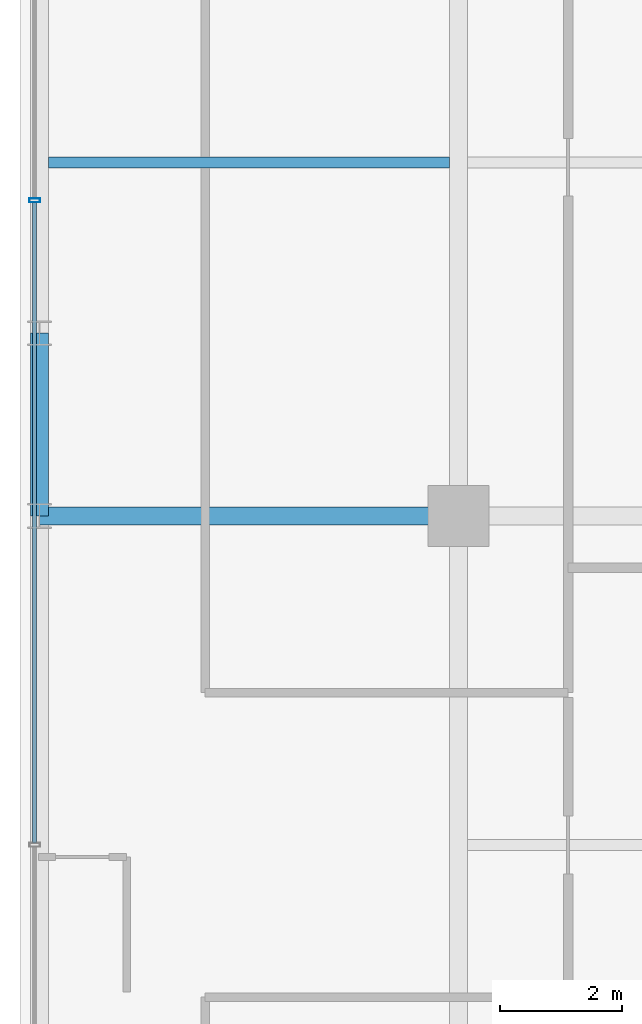
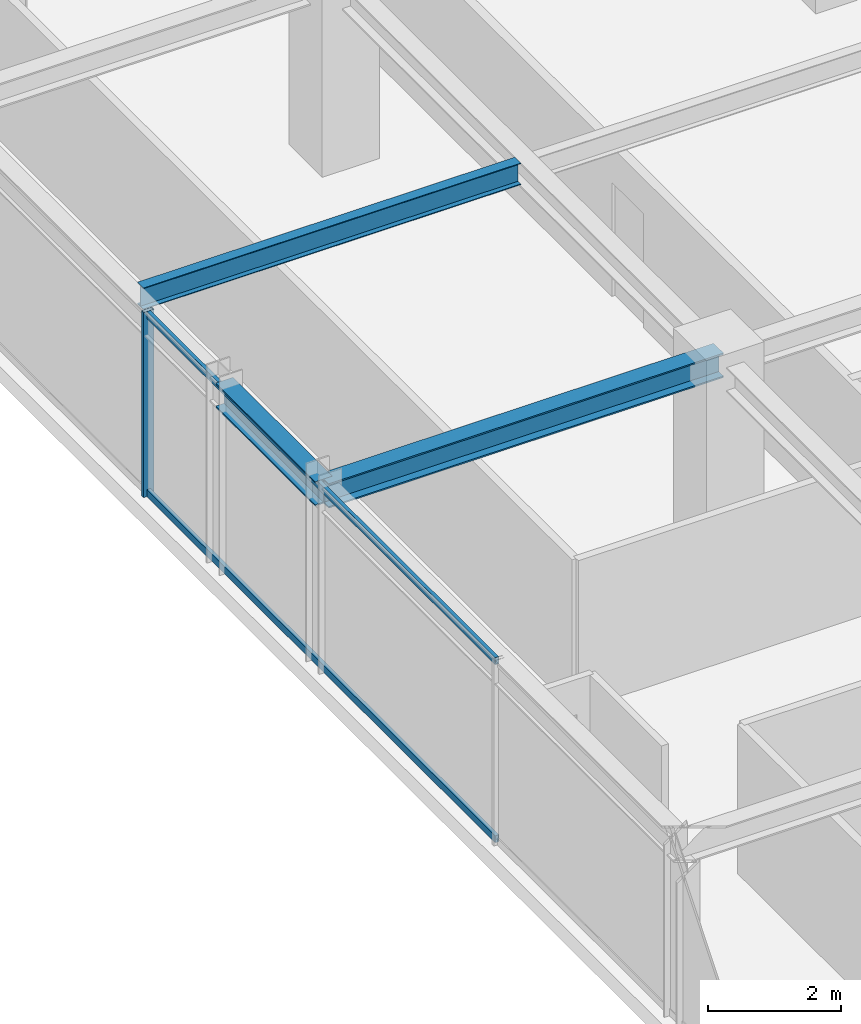
# One storey, part 18 of 34: 3 beams, 3 members, 1 element without a shape of its own.
"""IFC4 building model written with IfcOpenShell, lengths in metres."""

from ifc_helpers import new_model, si_unit, direction, frame, origin, origin_2d, place, context, subcontext, project, spatial, hollow_rectangle, i_section, extrude, source, transform, mapped, material, material_profile, profile_set, type_object, element, aggregate, save


model = new_model("IFC4")

# Units and contexts
model_context = context("Model", 3, precision=1e-05, world=origin(), true_north=direction((0.0, 1.0)))
body_context = subcontext(model_context, "Body", "Model", "MODEL_VIEW")
ifc_project = project(units=[si_unit("LENGTHUNIT", "METRE"), si_unit("AREAUNIT", "SQUARE_METRE"), si_unit("VOLUMEUNIT", "CUBIC_METRE"), si_unit("PLANEANGLEUNIT", "RADIAN"), si_unit("MASSUNIT", "GRAM", prefix="KILO")], contexts=[model_context])

# Site, building, storey
site_placement = place(None, origin())
site = spatial("IfcSite", under=ifc_project, at=site_placement, CompositionType="ELEMENT")
building_placement = place(site_placement, origin())
building = spatial("IfcBuilding", under=site, at=building_placement, Name="Nahalor Promenade Grand Hotel", CompositionType="ELEMENT")
storey_placement = place(building_placement, frame((0.0, 0.0, 238.199951171875)))
storey = spatial("IfcBuildingStorey", under=building, at=storey_placement, Name="L61", CompositionType="ELEMENT", Elevation=238.199951171875)

# Beams
ifc_material_1 = material(Name="Steel S355JR", Category="steel")
ifc_material_profile_1 = material_profile(ifc_material_1, i_section(OverallWidth=0.3, OverallDepth=0.45, WebThickness=0.014, FlangeThickness=0.026, at=origin_2d()), Name="HEB 450")
ifc_profile_set_1 = profile_set([ifc_material_profile_1], Name="Steel S355JR")
beam_type_1 = type_object("IfcBeamType", Name="Beam-Spandrel-HEB450", PredefinedType="SPANDREL", material=ifc_profile_set_1)
shared_shape_1 = source(origin(), body_context, "Body", "SweptSolid", [
    extrude(i_section(OverallWidth=0.3, OverallDepth=0.45, WebThickness=0.014, FlangeThickness=0.026, at=origin_2d()), origin(), (0.0, 0.0, 1.0), 3.0),
])
beam_1_placement = place(storey_placement, frame((-23.8798828125, 5.39990234375, 3.18505859375), z_axis=(0.0, 1.0, 0.0), x_axis=(-1.0, 0.0, 0.0)))
element("IfcBeam", 1, at=beam_1_placement, inside=storey, type_object=beam_type_1, Name="BM-L61-SP-W-3", PredefinedType="SPANDREL", context=body_context, shape_type="MappedRepresentation", body=[
    mapped(shared_shape_1, transform((0.0, 0.0, 0.0), scale=1.0)),
])
ifc_material_profile_2 = material_profile(ifc_material_1, i_section(OverallWidth=0.3, OverallDepth=0.45, WebThickness=0.014, FlangeThickness=0.026, at=origin_2d()), Name="HEB 450")
ifc_profile_set_2 = profile_set([ifc_material_profile_2], Name="Steel S355JR")
beam_type_2 = type_object("IfcBeamType", Name="Beam-Girder-HEB450", PredefinedType="BEAM", material=ifc_profile_set_2)
shared_shape_2 = source(origin(), body_context, "Body", "SweptSolid", [
    extrude(i_section(OverallWidth=0.3, OverallDepth=0.45, WebThickness=0.014, FlangeThickness=0.026, at=origin_2d()), origin(), (0.0, 0.0, 1.0), 6.8798828125),
])
beam_2_placement = place(storey_placement, frame((-23.8798828125, 5.39990234375, 3.18505859375), z_axis=(1.0, 0.0, 0.0), x_axis=(0.0, 1.0, 0.0)))
element("IfcBeam", 2, at=beam_2_placement, inside=storey, type_object=beam_type_2, Name="BM-L61-GX-2-0", PredefinedType="BEAM", context=body_context, shape_type="MappedRepresentation", body=[
    mapped(shared_shape_2, transform((0.0, 0.0, 0.0), scale=1.0)),
])
ifc_material_profile_3 = material_profile(ifc_material_1, i_section(OverallWidth=0.18, OverallDepth=0.4, WebThickness=0.0086, FlangeThickness=0.0135, at=origin_2d()), Name="IPE 400")
ifc_profile_set_3 = profile_set([ifc_material_profile_3], Name="Steel S355JR")
beam_type_3 = type_object("IfcBeamType", Name="Beam-Joist-IPE400", PredefinedType="JOIST", material=ifc_profile_set_3)
shared_shape_3 = source(origin(), body_context, "Body", "SweptSolid", [
    extrude(i_section(OverallWidth=0.18, OverallDepth=0.4, WebThickness=0.0086, FlangeThickness=0.0135, at=origin_2d()), origin(), (0.0, 0.0, 1.0), 6.580078125),
])
beam_3_placement = place(storey_placement, frame((-23.72998046875, 11.199951171875, 3.2099609375), z_axis=(1.0, 0.0, 0.0), x_axis=(0.0, 1.0, 0.0)))
element("IfcBeam", 3, at=beam_3_placement, inside=storey, type_object=beam_type_3, Name="BM-L61-JSW-1-0", PredefinedType="JOIST", context=body_context, shape_type="MappedRepresentation", body=[
    mapped(shared_shape_3, transform((0.0, 0.0, 0.0), scale=1.0)),
])

# Curtain wall, members
ifc_material_2 = material(Name="Anodised Bronze Aluminium EN AW-6063 T6", Category="aluminium")
curtain_wall_type = type_object("IfcCurtainWallType", Name="CW2 Typical Hotel Flush Bronze Unitised Curtain Wall", PredefinedType="USERDEFINED", material=ifc_material_2)
curtain_wall_placement = place(storey_placement, origin())
curtain_wall = element("IfcCurtainWall", 4, at=curtain_wall_placement, inside=storey, type_object=curtain_wall_type, Name="L61 Curtain Wall CW-L61-W-1", ObjectType="UNITISED_CURTAIN_WALL", PredefinedType="USERDEFINED")
ifc_material_profile_4 = material_profile(ifc_material_2, hollow_rectangle(XDim=0.065, YDim=0.18, WallThickness=0.004, at=origin_2d()), Name="CWM 65x180x4")
ifc_profile_set_4 = profile_set([ifc_material_profile_4], Name="Anodised Bronze Aluminium EN AW-6063 T6")
member_type_1 = type_object("IfcMemberType", Name="CWM2 Typical Bronze Mullion 65x180", PredefinedType="MULLION", material=ifc_profile_set_4)
shared_shape_4 = source(origin(), body_context, "Body", "SweptSolid", [
    extrude(hollow_rectangle(XDim=0.065, YDim=0.18, WallThickness=0.004, at=origin_2d()), origin(), (0.0, 0.0, 1.0), 3.41015625),
])
member_1_placement = place(storey_placement, frame((-23.9599609375, 10.580078125, 0.0), z_axis=(0.0, 0.0, 1.0), x_axis=(0.0, 1.0, 0.0)))
member_1 = element("IfcMember", 5, at=member_1_placement, type_object=member_type_1, Name="CW-L61-W-1 Mullion 3", PredefinedType="MULLION", context=body_context, shape_type="MappedRepresentation", body=[
    mapped(shared_shape_4, transform((0.0, 0.0, 0.0), scale=1.0)),
])
ifc_material_profile_5 = material_profile(ifc_material_2, hollow_rectangle(XDim=0.065, YDim=0.13, WallThickness=0.004, at=origin_2d()), Name="CWT 65x130x4")
ifc_profile_set_5 = profile_set([ifc_material_profile_5], Name="Anodised Bronze Aluminium EN AW-6063 T6")
member_type_2 = type_object("IfcMemberType", Name="CWT2 Typical Bronze Transom 65x130", PredefinedType="USERDEFINED", material=ifc_profile_set_5)
shared_shape_5 = source(origin(), body_context, "Body", "SweptSolid", [
    extrude(hollow_rectangle(XDim=0.065, YDim=0.13, WallThickness=0.004, at=origin_2d()), origin(), (0.0, 0.0, 1.0), 10.51513671875),
])
member_2_placement = place(storey_placement, frame((-23.9599609375, 0.032470703125, 0.06494140625), z_axis=(0.0, 1.0, 0.0), x_axis=(-1.0, 0.0, 0.0)))
member_2 = element("IfcMember", 6, at=member_2_placement, type_object=member_type_2, Name="CW-L61-W-1 Transom 2-0", ObjectType="TRANSOM", PredefinedType="USERDEFINED", context=body_context, shape_type="MappedRepresentation", body=[
    mapped(shared_shape_5, transform((0.0, 0.0, 0.0), scale=1.0)),
])
member_3_placement = place(storey_placement, frame((-23.9599609375, 0.032470703125, 3.344970703125), z_axis=(0.0, 1.0, 0.0), x_axis=(-1.0, 0.0, 0.0)))
member_3 = element("IfcMember", 7, at=member_3_placement, type_object=member_type_2, Name="CW-L61-W-1 Transom 2-1", ObjectType="TRANSOM", PredefinedType="USERDEFINED", context=body_context, shape_type="MappedRepresentation", body=[
    mapped(shared_shape_5, transform((0.0, 0.0, 0.0), scale=1.0)),
])
aggregate(curtain_wall, [member_1, member_2, member_3])

save(model, "model.ifc")
